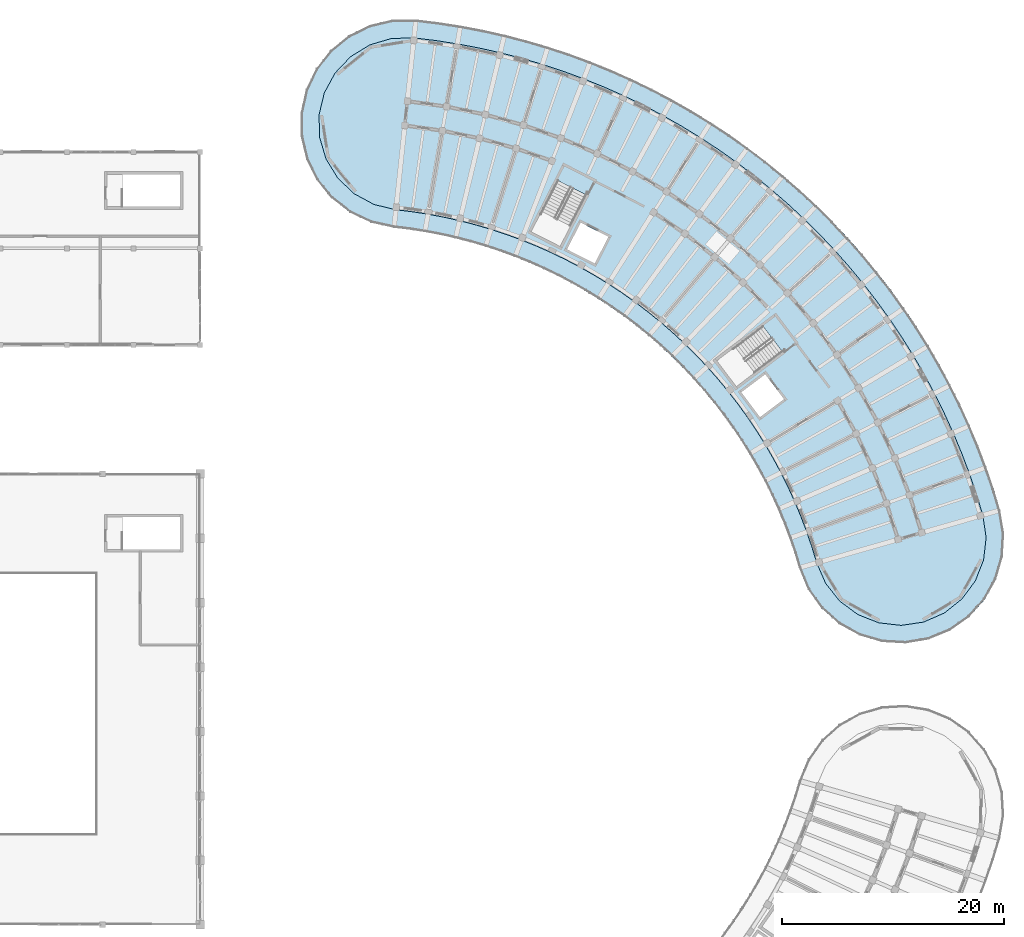
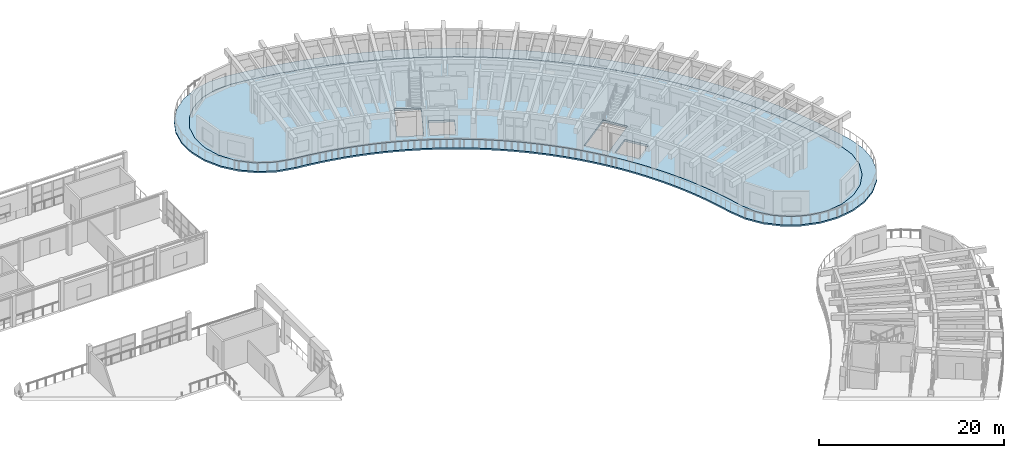
# One storey, part 77 of 128: 2 slabs.
"""IFC4 building model written with IfcOpenShell, lengths in metres."""

from ifc_helpers import new_model, si_unit, direction, frame, origin, place, context, subcontext, project, spatial, polyline, outline, extrude, material, layer, layer_set, type_object, element, save


model = new_model("IFC4")

# Units and contexts
model_context = context("Model", 3, precision=1e-05, world=origin(), true_north=direction((0.0, 1.0)))
body_context = subcontext(model_context, "Body", "Model", "MODEL_VIEW")
ifc_project = project(units=[si_unit("LENGTHUNIT", "METRE"), si_unit("AREAUNIT", "SQUARE_METRE"), si_unit("VOLUMEUNIT", "CUBIC_METRE"), si_unit("PLANEANGLEUNIT", "RADIAN"), si_unit("MASSUNIT", "GRAM", prefix="KILO")], contexts=[model_context])

# Site, building, storey
site_placement = place(None, origin())
site = spatial("IfcSite", under=ifc_project, at=site_placement, CompositionType="ELEMENT")
building_placement = place(site_placement, origin())
building = spatial("IfcBuilding", under=site, at=building_placement, Name="Tanwirah Colonnade Gardens", CompositionType="ELEMENT")
storey_placement = place(building_placement, frame((0.0, 0.0, 4.760009765625)))
storey = spatial("IfcBuildingStorey", under=building, at=storey_placement, Name="L01", CompositionType="ELEMENT", Elevation=4.760009765625)

# Slabs
ifc_material_1 = material(Name="White architectural precast concrete C40/50", Category="concrete")
ifc_layer_1 = layer(ifc_material_1, 0.199951171875)
ifc_layer_set_1 = layer_set([ifc_layer_1], Name="White architectural precast concrete C40/50")
slab_type_1 = type_object("IfcSlabType", Name="SL-BAL-200", PredefinedType="FLOOR", material=ifc_layer_set_1)
slab_1_placement = place(storey_placement, frame((0.0, 0.0, -0.199951171875)))
element("IfcSlab", 1, at=slab_1_placement, inside=storey, type_object=slab_type_1, Name="Block B L01 Continuous White Balcony Ribbon", PredefinedType="FLOOR", context=body_context, shape_type="SweptSolid", body=[
    extrude(outline(polyline([(162.7529296875, 69.996337890625), (163.96875, 68.2783203125), (165.53662109375, 66.873779296875), (167.37744140625, 65.853271484375), (169.3994140625, 65.267822265625), (171.5009765625, 65.147216796875), (173.57666015625, 65.497314453125), (175.522216796875, 66.30029296875), (177.240478515625, 67.516357421875), (178.64501953125, 69.083984375), (179.66552734375, 70.925048828125), (180.250732421875, 72.947021484375), (180.37158203125, 75.048583984375), (180.021484375, 77.1240234375), (179.431640625, 79.060302734375), (178.778076171875, 80.97607421875), (178.06201171875, 82.869140625), (177.28369140625, 84.73779296875), (176.4443359375, 86.57958984375), (175.544677734375, 88.392822265625), (174.585693359375, 90.17529296875), (173.568603515625, 91.92529296875), (172.494384765625, 93.640869140625), (171.3642578125, 95.320068359375), (170.17919921875, 96.9609375), (168.940673828125, 98.56201171875), (167.650146484375, 100.121337890625), (166.30908203125, 101.63720703125), (164.91845703125, 103.108154296875), (163.48046875, 104.532470703125), (161.99609375, 105.90869140625), (160.467041015625, 107.235107421875), (158.895263671875, 108.510498046875), (157.282470703125, 109.7333984375), (155.6298828125, 110.90234375), (153.93994140625, 112.01611328125), (152.214111328125, 113.07373046875), (150.454345703125, 114.073974609375), (148.66259765625, 115.015380859375), (146.8408203125, 115.8974609375), (144.990966796875, 116.718994140625), (143.114990234375, 117.47900390625), (141.21484375, 118.1767578125), (139.29296875, 118.811767578125), (137.35107421875, 119.3828125), (135.391357421875, 119.8896484375), (133.416259765625, 120.33154296875), (131.427490234375, 120.7080078125), (129.42724609375, 121.018798828125), (127.41796875, 121.263671875), (125.313232421875, 121.247802734375), (123.2646484375, 120.76416015625), (121.375, 119.836669921875), (119.7392578125, 118.511962890625), (118.439208984375, 116.8564453125), (117.5400390625, 114.953369140625), (117.0869140625, 112.897705078125), (117.102783203125, 110.792724609375), (117.58642578125, 108.744140625), (118.513916015625, 106.854736328125), (119.838623046875, 105.21875), (121.494140625, 103.918701171875), (123.397216796875, 103.019775390625), (125.452880859375, 102.566650390625), (126.846923828125, 102.396728515625), (128.234619140625, 102.18115234375), (129.614501953125, 101.919921875), (130.98486328125, 101.61328125), (132.344482421875, 101.26171875), (133.69189453125, 100.865478515625), (135.025390625, 100.425048828125), (136.343505859375, 99.94091796875), (137.645263671875, 99.41357421875), (138.9287109375, 98.843505859375), (140.192626953125, 98.231689453125), (141.435791015625, 97.578369140625), (142.65673828125, 96.884521484375), (143.85400390625, 96.150634765625), (145.026611328125, 95.3779296875), (146.173095703125, 94.566650390625), (147.292236328125, 93.71826171875), (148.3828125, 92.83349609375), (149.443603515625, 91.9130859375), (150.473388671875, 90.95849609375), (151.47119140625, 89.97021484375), (152.435791015625, 88.94970703125), (153.366455078125, 87.89794921875), (154.26171875, 86.81591796875), (155.12109375, 85.705078125), (155.943115234375, 84.566650390625), (156.727294921875, 83.401611328125), (157.47265625, 82.21142578125), (158.178466796875, 80.997314453125), (158.84375, 79.760498046875), (159.468017578125, 78.50244140625), (160.05029296875, 77.224609375), (160.590087890625, 75.92822265625), (161.087158203125, 74.61474609375), (161.54052734375, 73.28564453125), (161.94970703125, 71.942138671875), (162.7529296875, 69.996337890625)]), holes=[polyline([(164.31689453125, 70.526123046875), (163.506591796875, 72.39013671875), (163.082275390625, 73.78271484375), (163.08203125, 73.783447265625), (162.611572265625, 75.16259765625), (162.611328125, 75.1630859375), (162.095947265625, 76.52587890625), (162.095703125, 76.526611328125), (161.535400390625, 77.87158203125), (161.53515625, 77.872314453125), (160.930908203125, 79.1982421875), (160.9306640625, 79.19873046875), (160.282958984375, 80.504150390625), (160.28271484375, 80.504638671875), (159.59228515625, 81.787841796875), (159.592041015625, 81.788330078125), (158.85986328125, 83.048095703125), (158.859619140625, 83.048828125), (158.086181640625, 84.28369140625), (158.0859375, 84.2841796875), (157.272216796875, 85.492919921875), (157.271728515625, 85.493408203125), (156.418701171875, 86.6748046875), (156.41845703125, 86.67529296875), (155.52685546875, 87.827880859375), (155.526611328125, 87.828369140625), (154.597412109375, 88.950927734375), (154.59716796875, 88.951416015625), (153.631591796875, 90.042724609375), (153.631103515625, 90.043212890625), (152.630126953125, 91.10205078125), (152.629638671875, 91.1025390625), (151.594482421875, 92.1279296875), (151.593994140625, 92.12841796875), (150.525390625, 93.118896484375), (150.52490234375, 93.119384765625), (149.42431640625, 94.07421875), (149.423828125, 94.07470703125), (148.292236328125, 94.99267578125), (148.291748046875, 94.9931640625), (147.130615234375, 95.87353515625), (147.130126953125, 95.873779296875), (145.940673828125, 96.71533203125), (145.940185546875, 96.7158203125), (144.723388671875, 97.517578125), (144.722900390625, 97.51806640625), (143.48046875, 98.279296875), (143.47998046875, 98.279541015625), (142.213134765625, 98.99951171875), (142.212646484375, 99.0), (140.9228515625, 99.677734375), (140.922119140625, 99.677978515625), (139.61083984375, 100.31298828125), (139.610107421875, 100.313232421875), (138.2783203125, 100.904541015625), (138.27783203125, 100.90478515625), (136.92724609375, 101.451904296875), (136.9267578125, 101.4521484375), (135.55908203125, 101.95458984375), (135.558349609375, 101.954833984375), (134.1748046875, 102.411865234375), (134.174072265625, 102.411865234375), (132.7763671875, 102.822998046875), (132.775634765625, 102.8232421875), (131.364990234375, 103.18798828125), (131.3642578125, 103.188232421875), (129.9423828125, 103.50634765625), (129.941650390625, 103.506591796875), (128.510009765625, 103.777587890625), (128.509521484375, 103.777587890625), (127.069580078125, 104.00146484375), (127.069091796875, 104.00146484375), (125.623779296875, 104.177490234375), (123.6474609375, 104.652099609375), (121.862548828125, 105.62109375), (120.389404296875, 107.01904296875), (119.328369140625, 108.750732421875), (118.75146484375, 110.697998046875), (118.6982421875, 112.728271484375), (119.17236328125, 114.703125), (120.141357421875, 116.488037109375), (121.53955078125, 117.961181640625), (123.271240234375, 119.0224609375), (125.218505859375, 119.59912109375), (127.249755859375, 119.65234375), (129.204833984375, 119.414306640625), (131.15234375, 119.111572265625), (133.088623046875, 118.744873046875), (135.01171875, 118.314697265625), (136.919677734375, 117.8212890625), (138.810302734375, 117.26513671875), (140.681640625, 116.647216796875), (142.531494140625, 115.9677734375), (144.35791015625, 115.227783203125), (146.158935546875, 114.427978515625), (147.932861328125, 113.5693359375), (149.67724609375, 112.652587890625), (151.390625, 111.6787109375), (153.07080078125, 110.649169921875), (154.71630859375, 109.564453125), (156.3251953125, 108.42626953125), (157.8955078125, 107.23583984375), (159.42578125, 105.994140625), (160.914306640625, 104.70263671875), (162.359619140625, 103.36279296875), (163.759765625, 101.97607421875), (165.113525390625, 100.5439453125), (166.41943359375, 99.068115234375), (167.67578125, 97.5498046875), (168.881591796875, 95.990966796875), (170.035400390625, 94.393310546875), (171.1357421875, 92.758544921875), (172.181640625, 91.08837890625), (173.171875, 89.384521484375), (174.10546875, 87.64892578125), (174.9814453125, 85.883544921875), (175.798828125, 84.09033203125), (176.556396484375, 82.271240234375), (177.253662109375, 80.427978515625), (177.889892578125, 78.562744140625), (178.4638671875, 76.6787109375), (178.76416015625, 74.6689453125), (178.534423828125, 72.651123046875), (177.7900390625, 70.761474609375), (176.58203125, 69.12890625), (174.992431640625, 67.864501953125), (173.130126953125, 67.0546875), (171.121337890625, 66.75439453125), (169.103515625, 66.984375), (167.2138671875, 67.728759765625), (165.581298828125, 68.936767578125), (164.31689453125, 70.526123046875)])]), origin(), (0.0, 0.0, 1.0), 0.199951171875),
])
ifc_material_2 = material(Name="Concrete C45/55", Category="concrete")
ifc_layer_2 = layer(ifc_material_2, 0.27490234375)
ifc_layer_set_2 = layer_set([ifc_layer_2], Name="Concrete C45/55")
slab_type_2 = type_object("IfcSlabType", Name="SL-POD-275", PredefinedType="FLOOR", material=ifc_layer_set_2)
slab_2_placement = place(storey_placement, frame((0.0, 0.0, -0.27490234375)))
element("IfcSlab", 2, at=slab_2_placement, inside=storey, type_object=slab_type_2, Name="Block B L01 Precast Composite Floor Slab", PredefinedType="FLOOR", context=body_context, shape_type="SweptSolid", body=[
    extrude(outline(polyline([(162.5927734375, 75.156005859375), (163.06298828125, 73.777099609375), (163.48779296875, 72.383056640625), (164.2998046875, 70.515869140625), (165.5673828125, 68.92236328125), (167.2041015625, 67.711181640625), (169.0986328125, 66.96484375), (171.121826171875, 66.734375), (173.135498046875, 67.035400390625), (175.0029296875, 67.84716796875), (176.596435546875, 69.11474609375), (177.8076171875, 70.751708984375), (178.553955078125, 72.646240234375), (178.784423828125, 74.669189453125), (178.4833984375, 76.68310546875), (177.908935546875, 78.56884765625), (177.2724609375, 80.434814453125), (176.574951171875, 82.278564453125), (175.817138671875, 84.098388671875), (174.99951171875, 85.892333984375), (174.123291015625, 87.658203125), (173.189453125, 89.394287109375), (172.19873046875, 91.0986328125), (171.152587890625, 92.76953125), (170.0517578125, 94.40478515625), (168.897705078125, 96.0029296875), (167.69140625, 97.562255859375), (166.4345703125, 99.0810546875), (165.12841796875, 100.5576171875), (163.774169921875, 101.990234375), (162.37353515625, 103.377197265625), (160.927734375, 104.717529296875), (159.438720703125, 106.009521484375), (157.907958984375, 107.25146484375), (156.3369140625, 108.442626953125), (154.7275390625, 109.5810546875), (153.08154296875, 110.666015625), (151.400634765625, 111.696044921875), (149.686767578125, 112.669921875), (147.94189453125, 113.587158203125), (146.16748046875, 114.446044921875), (144.36572265625, 115.24609375), (142.53857421875, 115.986328125), (140.688232421875, 116.666015625), (138.816162109375, 117.284423828125), (136.925048828125, 117.840576171875), (135.016357421875, 118.334228515625), (133.092529296875, 118.7646484375), (131.15576171875, 119.13134765625), (129.207763671875, 119.43408203125), (127.250732421875, 119.67236328125), (125.21533203125, 119.619140625), (123.262939453125, 119.040771484375), (121.52685546875, 117.976806640625), (120.125244140625, 116.499755859375), (119.153564453125, 114.71044921875), (118.67822265625, 112.73046875), (118.7314453125, 110.695068359375), (119.309814453125, 108.74267578125), (120.373779296875, 107.00634765625), (121.850830078125, 105.604736328125), (123.64013671875, 104.63330078125), (125.6201171875, 104.157958984375), (127.066650390625, 103.981689453125), (128.50634765625, 103.758056640625), (129.93798828125, 103.48681640625), (131.35986328125, 103.168701171875), (132.770751953125, 102.803955078125), (134.16845703125, 102.392822265625), (135.552001953125, 101.935791015625), (136.919921875, 101.433349609375), (138.270263671875, 100.88623046875), (139.60205078125, 100.294921875), (140.91357421875, 99.659912109375), (142.203369140625, 98.982177734375), (143.47021484375, 98.26220703125), (144.71240234375, 97.5009765625), (145.92919921875, 96.698974609375), (147.11865234375, 95.857421875), (148.27978515625, 94.977294921875), (149.4111328125, 94.05908203125), (150.51171875, 93.104248046875), (151.580322265625, 92.11376953125), (152.61572265625, 91.08837890625), (153.61669921875, 90.029541015625), (154.58203125, 88.938232421875), (155.510986328125, 87.815673828125), (156.402587890625, 86.6630859375), (157.255615234375, 85.48193359375), (158.0693359375, 84.27294921875), (158.842529296875, 83.0380859375), (159.57470703125, 81.7783203125), (160.26513671875, 80.4951171875), (160.91259765625, 79.18994140625), (161.516845703125, 77.864013671875), (162.0771484375, 76.518798828125), (162.5927734375, 75.156005859375)]), holes=[polyline([(160.4169921875, 91.38427734375), (156.2666015625, 88.256591796875), (154.512939453125, 90.583740234375), (158.663330078125, 93.71142578125), (160.4169921875, 91.38427734375)]), polyline([(158.402587890625, 85.5048828125), (156.717529296875, 87.7412109375), (158.873779296875, 89.365966796875), (160.558837890625, 87.1298828125), (158.402587890625, 85.5048828125)]), polyline([(137.8017578125, 102.199951171875), (140.1611328125, 106.830322265625), (142.757568359375, 105.507568359375), (140.398193359375, 100.876953125), (137.8017578125, 102.199951171875)]), polyline([(142.255126953125, 103.01708984375), (144.75, 101.745849609375), (143.524169921875, 99.34033203125), (141.029541015625, 100.611328125), (142.255126953125, 103.01708984375)])]), origin(), (0.0, 0.0, 1.0), 0.27490234375),
])

save(model, "model.ifc")
